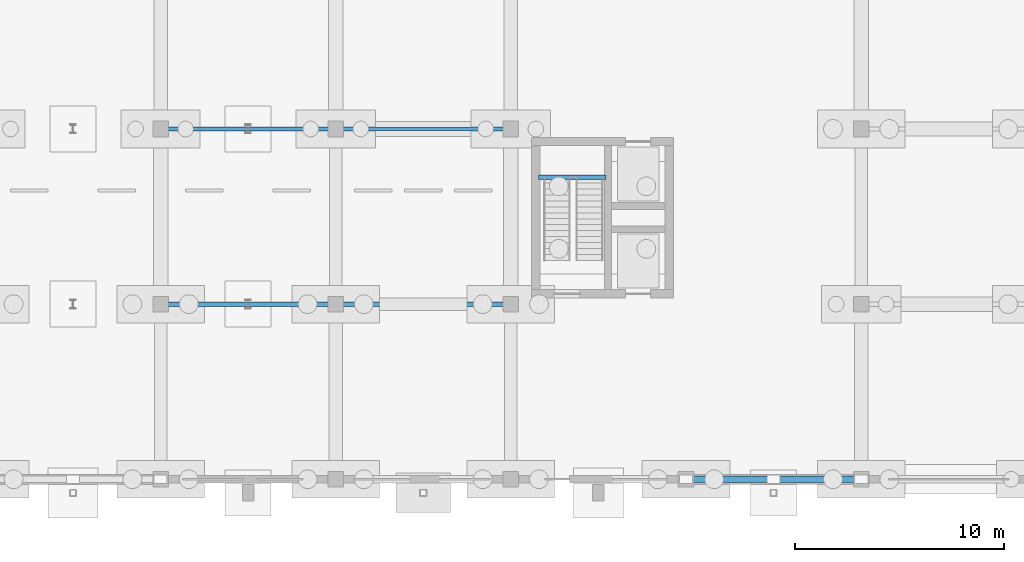
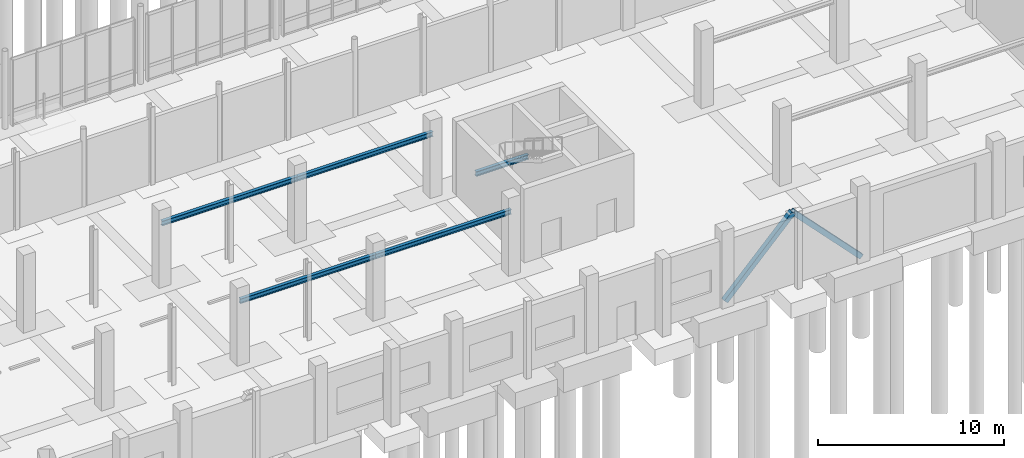
# One storey, part 42 of 119: 5 beams, 2 members.
"""IFC4 building model written with IfcOpenShell, lengths in metres."""

from ifc_helpers import new_model, si_unit, derived_unit, direction, frame, origin, origin_2d, place, context, subcontext, project, spatial, hollow_rectangle, i_section, extrude, material, material_profile, profile_set, type_object, element, save


model = new_model("IFC4")

# Units and contexts
model_context = context("Model", 3, precision=1e-05, world=origin(), true_north=direction((0.0, 1.0)))
body_context = subcontext(model_context, "Body", "Model", "MODEL_VIEW")
ifc_project = project(units=[si_unit("LENGTHUNIT", "METRE"), si_unit("AREAUNIT", "SQUARE_METRE"), si_unit("VOLUMEUNIT", "CUBIC_METRE"), si_unit("PLANEANGLEUNIT", "RADIAN"), si_unit("MASSUNIT", "GRAM", prefix="KILO"), derived_unit("THERMALTRANSMITTANCEUNIT", [(si_unit("MASSUNIT", "GRAM", prefix="KILO"), 1), (si_unit("TIMEUNIT", "SECOND"), -3), (si_unit("THERMODYNAMICTEMPERATUREUNIT", "KELVIN"), -1)])], contexts=[model_context])

# Site, building, storey
site_placement = place(None, origin())
site = spatial("IfcSite", under=ifc_project, at=site_placement, CompositionType="ELEMENT")
building_placement = place(site_placement, origin())
building = spatial("IfcBuilding", under=site, at=building_placement, Name="Makaiwela Harbour Ferry Terminal", CompositionType="ELEMENT")
storey_placement = place(building_placement, origin())
storey = spatial("IfcBuildingStorey", under=building, at=storey_placement, Name="L00", CompositionType="ELEMENT", Elevation=0.0)

# Members
ifc_material_1 = material(Name="Steel ASTM A500 Grade C", Category="steel")
ifc_material_profile_1 = material_profile(ifc_material_1, hollow_rectangle(XDim=0.304931640625, YDim=0.304931640625, WallThickness=0.0146484375, at=origin_2d()), Name="HSS12X12X5/8")
ifc_profile_set_1 = profile_set([ifc_material_profile_1], Name="Steel ASTM A500 Grade C")
member_type = type_object("IfcMemberType", Name="STR-BRC-HSS12", PredefinedType="BRACE", material=ifc_profile_set_1)
member_1_placement = place(storey_placement, frame((130.199951171875, 0.0, 0.219970703125), z_axis=(0.693393007607, 0.0, 0.720559599895), x_axis=(0.0, 1.0, 0.0)))
element("IfcMember", 1, at=member_1_placement, inside=storey, type_object=member_type, Name="Lateral chevron brace 3A", PredefinedType="BRACE", context=body_context, shape_type="SweptSolid", body=[
    extrude(hollow_rectangle(XDim=0.304931640625, YDim=0.304931640625, WallThickness=0.0146484375, at=origin_2d()), origin(), (0.0, 0.0, 1.0), 6.05712890625),
])
member_2_placement = place(storey_placement, frame((138.60009765625, 0.0, 0.219970703125), z_axis=(-0.693413934121, 0.0, 0.720539461769), x_axis=(0.0, -1.0, 0.0)))
element("IfcMember", 2, at=member_2_placement, inside=storey, type_object=member_type, Name="Lateral chevron brace 3B", PredefinedType="BRACE", context=body_context, shape_type="SweptSolid", body=[
    extrude(hollow_rectangle(XDim=0.304931640625, YDim=0.304931640625, WallThickness=0.0146484375, at=origin_2d()), origin(), (0.0, 0.0, 1.0), 6.057373046875),
])

# Beams
ifc_material_2 = material(Name="Steel ASTM A992 Grade 50", Category="steel")
ifc_material_profile_2 = material_profile(ifc_material_2, i_section(OverallWidth=0.205078125, OverallDepth=0.31005859375, WebThickness=0.009521484375, FlangeThickness=0.016357421875, at=origin_2d()), Name="W12X50")
ifc_profile_set_2 = profile_set([ifc_material_profile_2], Name="Steel ASTM A992 Grade 50")
beam_type = type_object("IfcBeamType", Name="STR-LNT-W12X50", PredefinedType="LINTEL", material=ifc_profile_set_2)
for number, where, z_axis, x_axis, name in (
    (3, (105.0, 8.39990234375, 3.949951171875), (1.0, 0.0, 0.0), (0.0, 1.0, 0.0), "Interior aisle lintel 7"),
    (4, (105.0, 16.800048828125, 3.949951171875), (1.0, 0.0, 0.0), (0.0, 1.0, 0.0), "Interior aisle lintel 8"),
):
    element("IfcBeam", number, at=place(storey_placement, frame(where, z_axis=z_axis, x_axis=x_axis)), inside=storey, type_object=beam_type, Name=name, PredefinedType="LINTEL", context=body_context, shape_type="SweptSolid", body=[
        extrude(i_section(OverallWidth=0.205078125, OverallDepth=0.31005859375, WebThickness=0.009521484375, FlangeThickness=0.016357421875, at=origin_2d()), origin(), (0.0, 0.0, 1.0), 8.39990234375),
    ])
for number, where, z_axis, x_axis, name in (
    (5, (113.39990234375, 8.39990234375, 3.949951171875), (1.0, 0.0, 0.0), (0.0, 1.0, 0.0), "Interior aisle lintel 9"),
    (6, (113.39990234375, 16.800048828125, 3.949951171875), (1.0, 0.0, 0.0), (0.0, 1.0, 0.0), "Interior aisle lintel 10"),
):
    element("IfcBeam", number, at=place(storey_placement, frame(where, z_axis=z_axis, x_axis=x_axis)), inside=storey, type_object=beam_type, Name=name, PredefinedType="LINTEL", context=body_context, shape_type="SweptSolid", body=[
        extrude(i_section(OverallWidth=0.205078125, OverallDepth=0.31005859375, WebThickness=0.009521484375, FlangeThickness=0.016357421875, at=origin_2d()), origin(), (0.0, 0.0, 1.0), 8.400146484375),
    ])
beam_placement = place(storey_placement, frame((123.125, 14.489990234375, 2.2451171875), z_axis=(1.0, 0.0, 0.0), x_axis=(0.0, 1.0, 0.0)))
element("IfcBeam", 7, at=beam_placement, inside=storey, type_object=beam_type, Name="Stair Landing Beam ST-06-L00", PredefinedType="LINTEL", context=body_context, shape_type="SweptSolid", body=[
    extrude(i_section(OverallWidth=0.205078125, OverallDepth=0.31005859375, WebThickness=0.009521484375, FlangeThickness=0.016357421875, at=origin_2d()), origin(), (0.0, 0.0, 1.0), 3.24609375),
])

save(model, "model.ifc")
